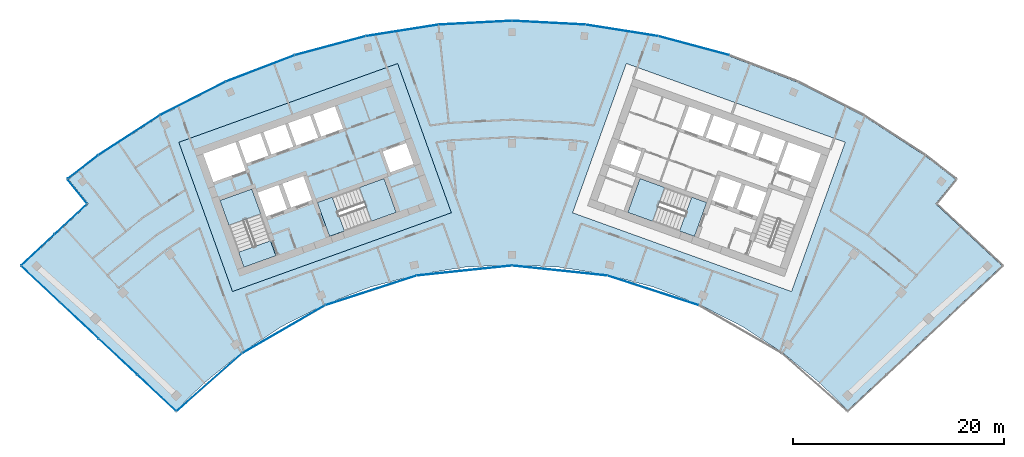
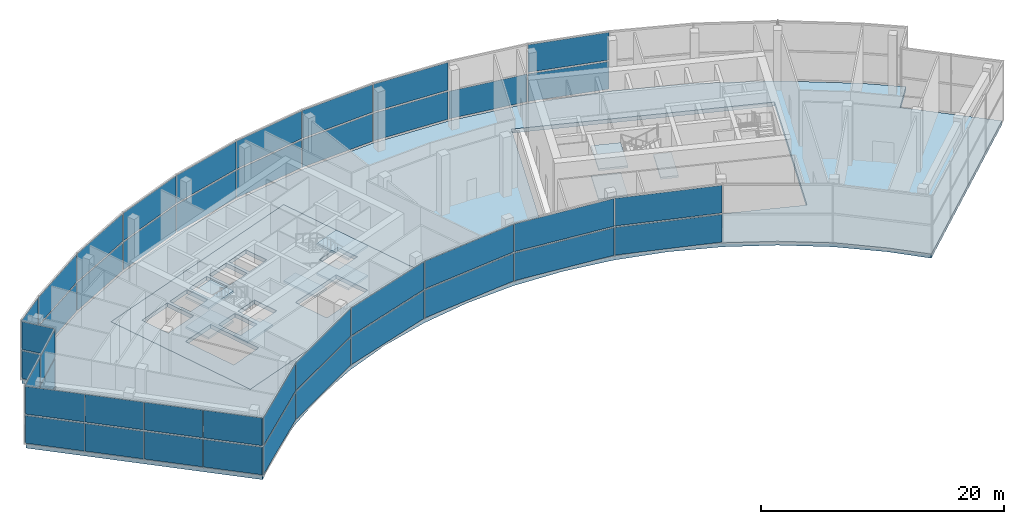
# One storey, part 9 of 18: 45 plates, 11 slabs, 8 elements without a shape of their own.
"""IFC4 building model written with IfcOpenShell, lengths in metres."""

from ifc_helpers import new_model, si_unit, direction, frame, origin, origin_2d, place, context, subcontext, project, spatial, polyline, rectangle, outline, extrude, material, layer, layer_set, type_object, element, aggregate, save


model = new_model("IFC4")

# Units and contexts
model_context = context("Model", 3, precision=1e-05, world=origin(), true_north=direction((0.0, 1.0)))
body_context = subcontext(model_context, "Body", "Model", "MODEL_VIEW")
ifc_project = project(units=[si_unit("LENGTHUNIT", "METRE"), si_unit("AREAUNIT", "SQUARE_METRE"), si_unit("VOLUMEUNIT", "CUBIC_METRE"), si_unit("PLANEANGLEUNIT", "RADIAN"), si_unit("MASSUNIT", "GRAM", prefix="KILO")], contexts=[model_context])

# Site, building, storey
site_placement = place(None, origin())
site = spatial("IfcSite", under=ifc_project, at=site_placement, CompositionType="ELEMENT")
building_placement = place(site_placement, origin())
building = spatial("IfcBuilding", under=site, at=building_placement, Name="Stone Belt Terrace Tower", CompositionType="ELEMENT")
storey_placement = place(building_placement, frame((0.0, 0.0, 307.39990234375)))
storey = spatial("IfcBuildingStorey", under=building, at=storey_placement, Name="L75", CompositionType="ELEMENT", Elevation=307.39990234375)

# Curtain wall, plates
ifc_material_1 = material(Name="Aluminium 6063-T6 anodised frame", Category="aluminium")
ifc_layer_1 = layer(ifc_material_1, 0.14990234375)
ifc_layer_set_1 = layer_set([ifc_layer_1], Name="CW-F observation floor curtain wall")
curtain_wall_type = type_object("IfcCurtainWallType", Name="CW-F observation floor curtain wall", PredefinedType="NOTDEFINED", material=ifc_layer_set_1)
curtain_wall_1_placement = place(storey_placement, origin())
curtain_wall_1 = element("IfcCurtainWall", 1, at=curtain_wall_1_placement, inside=storey, type_object=curtain_wall_type, Name="CW-F concave face L75", PredefinedType="NOTDEFINED")
ifc_material_2 = material(Name="Clear double glazed unit")
ifc_layer_2 = layer(ifc_material_2, 0.035888671875)
ifc_layer_set_2 = layer_set([ifc_layer_2], Name="CW-F glass panel 36")
plate_type = type_object("IfcPlateType", Name="CW-F glass panel 36", PredefinedType="CURTAIN_PANEL", material=ifc_layer_set_2)
plate_1_placement = place(storey_placement, frame((-28.625732421875, 32.393310546875, 0.150146484375), z_axis=(0.0, 0.0, 1.0), x_axis=(0.749658646805, 0.661824684694, 0.0)))
plate_1 = element("IfcPlate", 2, at=plate_1_placement, type_object=plate_type, Name="CW-F panel 1.1", PredefinedType="CURTAIN_PANEL", context=body_context, shape_type="SweptSolid", body=[
    extrude(rectangle(XDim=8.188720703125, YDim=0.035888671875, at=origin_2d()), origin(), (0.0, 0.0, 1.0), 2.77490234375),
])
plate_2_placement = place(storey_placement, frame((-28.625732421875, 32.393310546875, 3.0751953125), z_axis=(0.0, 0.0, 1.0), x_axis=(0.749658646805, 0.661824684694, 0.0)))
plate_2 = element("IfcPlate", 3, at=plate_2_placement, type_object=plate_type, Name="CW-F panel 1.2", PredefinedType="CURTAIN_PANEL", context=body_context, shape_type="SweptSolid", body=[
    extrude(rectangle(XDim=8.188720703125, YDim=0.035888671875, at=origin_2d()), origin(), (0.0, 0.0, 1.0), 2.77490234375),
])
plate_3_placement = place(storey_placement, frame((-21.59375, 37.400634765625, 0.150146484375), z_axis=(0.0, 0.0, 1.0), x_axis=(0.866025403784, 0.5, 0.0)))
plate_3 = element("IfcPlate", 4, at=plate_3_placement, type_object=plate_type, Name="CW-F panel 2.1", PredefinedType="CURTAIN_PANEL", context=body_context, shape_type="SweptSolid", body=[
    extrude(rectangle(XDim=8.99365234375, YDim=0.035888671875, at=origin_2d()), origin(), (0.0, 0.0, 1.0), 2.77490234375),
])
plate_4_placement = place(storey_placement, frame((-21.59375, 37.400634765625, 3.0751953125), z_axis=(0.0, 0.0, 1.0), x_axis=(0.866025403784, 0.5, 0.0)))
plate_4 = element("IfcPlate", 5, at=plate_4_placement, type_object=plate_type, Name="CW-F panel 2.2", PredefinedType="CURTAIN_PANEL", context=body_context, shape_type="SweptSolid", body=[
    extrude(rectangle(XDim=8.99365234375, YDim=0.035888671875, at=origin_2d()), origin(), (0.0, 0.0, 1.0), 2.77490234375),
])
plate_5_placement = place(storey_placement, frame((-13.345458984375, 41.072998046875, 0.150146484375), z_axis=(0.0, 0.0, 1.0), x_axis=(0.951056516295, 0.309016994375, 0.0)))
plate_5 = element("IfcPlate", 6, at=plate_5_placement, type_object=plate_type, Name="CW-F panel 3.1", PredefinedType="CURTAIN_PANEL", context=body_context, shape_type="SweptSolid", body=[
    extrude(rectangle(XDim=8.992919921875, YDim=0.035888671875, at=origin_2d()), origin(), (0.0, 0.0, 1.0), 2.77490234375),
])
plate_6_placement = place(storey_placement, frame((-13.345458984375, 41.072998046875, 3.0751953125), z_axis=(0.0, 0.0, 1.0), x_axis=(0.951056516295, 0.309016994375, 0.0)))
plate_6 = element("IfcPlate", 7, at=plate_6_placement, type_object=plate_type, Name="CW-F panel 3.2", PredefinedType="CURTAIN_PANEL", context=body_context, shape_type="SweptSolid", body=[
    extrude(rectangle(XDim=8.992919921875, YDim=0.035888671875, at=origin_2d()), origin(), (0.0, 0.0, 1.0), 2.77490234375),
])
plate_7_placement = place(storey_placement, frame((-4.51416015625, 42.9501953125, 0.150146484375), z_axis=(0.0, 0.0, 1.0), x_axis=(0.994521895368, 0.104528463268, 0.0)))
plate_7 = element("IfcPlate", 8, at=plate_7_placement, type_object=plate_type, Name="CW-F panel 4.1", PredefinedType="CURTAIN_PANEL", context=body_context, shape_type="SweptSolid", body=[
    extrude(rectangle(XDim=8.992919921875, YDim=0.035888671875, at=origin_2d()), origin(), (0.0, 0.0, 1.0), 2.77490234375),
])
plate_8_placement = place(storey_placement, frame((-4.51416015625, 42.9501953125, 3.0751953125), z_axis=(0.0, 0.0, 1.0), x_axis=(0.994521895368, 0.104528463268, 0.0)))
plate_8 = element("IfcPlate", 9, at=plate_8_placement, type_object=plate_type, Name="CW-F panel 4.2", PredefinedType="CURTAIN_PANEL", context=body_context, shape_type="SweptSolid", body=[
    extrude(rectangle(XDim=8.992919921875, YDim=0.035888671875, at=origin_2d()), origin(), (0.0, 0.0, 1.0), 2.77490234375),
])
plate_9_placement = place(storey_placement, frame((4.51416015625, 42.9501953125, 0.150146484375), z_axis=(0.0, 0.0, 1.0), x_axis=(0.994521895368, -0.104528463268, 0.0)))
plate_9 = element("IfcPlate", 10, at=plate_9_placement, type_object=plate_type, Name="CW-F panel 5.1", PredefinedType="CURTAIN_PANEL", context=body_context, shape_type="SweptSolid", body=[
    extrude(rectangle(XDim=8.992919921875, YDim=0.035888671875, at=origin_2d()), origin(), (0.0, 0.0, 1.0), 2.77490234375),
])
plate_10_placement = place(storey_placement, frame((4.51416015625, 42.9501953125, 3.0751953125), z_axis=(0.0, 0.0, 1.0), x_axis=(0.994521895368, -0.104528463268, 0.0)))
plate_10 = element("IfcPlate", 11, at=plate_10_placement, type_object=plate_type, Name="CW-F panel 5.2", PredefinedType="CURTAIN_PANEL", context=body_context, shape_type="SweptSolid", body=[
    extrude(rectangle(XDim=8.992919921875, YDim=0.035888671875, at=origin_2d()), origin(), (0.0, 0.0, 1.0), 2.77490234375),
])
plate_11_placement = place(storey_placement, frame((13.345458984375, 41.072998046875, 0.150146484375), z_axis=(0.0, 0.0, 1.0), x_axis=(0.951056516295, -0.309016994375, 0.0)))
plate_11 = element("IfcPlate", 12, at=plate_11_placement, type_object=plate_type, Name="CW-F panel 6.1", PredefinedType="CURTAIN_PANEL", context=body_context, shape_type="SweptSolid", body=[
    extrude(rectangle(XDim=8.992919921875, YDim=0.035888671875, at=origin_2d()), origin(), (0.0, 0.0, 1.0), 2.77490234375),
])
plate_12_placement = place(storey_placement, frame((13.345458984375, 41.072998046875, 3.0751953125), z_axis=(0.0, 0.0, 1.0), x_axis=(0.951056516295, -0.309016994375, 0.0)))
plate_12 = element("IfcPlate", 13, at=plate_12_placement, type_object=plate_type, Name="CW-F panel 6.2", PredefinedType="CURTAIN_PANEL", context=body_context, shape_type="SweptSolid", body=[
    extrude(rectangle(XDim=8.992919921875, YDim=0.035888671875, at=origin_2d()), origin(), (0.0, 0.0, 1.0), 2.77490234375),
])
aggregate(curtain_wall_1, [plate_1, plate_2, plate_3, plate_4, plate_5, plate_6, plate_7, plate_8, plate_9, plate_10, plate_11, plate_12])

curtain_wall_2_placement = place(storey_placement, origin())
curtain_wall_2 = element("IfcCurtainWall", 14, at=curtain_wall_2_placement, inside=storey, type_object=curtain_wall_type, Name="CW-F convex face L75", PredefinedType="NOTDEFINED")
plate_13_placement = place(storey_placement, frame((17.207275390625, 64.218505859375, 0.150146484375), z_axis=(0.0, 0.0, 1.0), x_axis=(-0.965925826289, 0.258819045103, 0.0)))
plate_13 = element("IfcPlate", 15, at=plate_13_placement, type_object=plate_type, Name="CW-F panel 5.1", PredefinedType="CURTAIN_PANEL", context=body_context, shape_type="SweptSolid", body=[
    extrude(rectangle(XDim=6.890869140625, YDim=0.035888671875, at=origin_2d()), origin(), (0.0, 0.0, 1.0), 2.77490234375),
])
plate_14_placement = place(storey_placement, frame((17.207275390625, 64.218505859375, 3.0751953125), z_axis=(0.0, 0.0, 1.0), x_axis=(-0.965925826289, 0.258819045103, 0.0)))
plate_14 = element("IfcPlate", 16, at=plate_14_placement, type_object=plate_type, Name="CW-F panel 5.2", PredefinedType="CURTAIN_PANEL", context=body_context, shape_type="SweptSolid", body=[
    extrude(rectangle(XDim=6.890869140625, YDim=0.035888671875, at=origin_2d()), origin(), (0.0, 0.0, 1.0), 2.77490234375),
])
plate_15_placement = place(storey_placement, frame((10.400390625, 65.665283203125, 0.150146484375), z_axis=(0.0, 0.0, 1.0), x_axis=(-0.987688340595, 0.15643446504, 0.0)))
plate_15 = element("IfcPlate", 17, at=plate_15_placement, type_object=plate_type, Name="CW-F panel 6.1", PredefinedType="CURTAIN_PANEL", context=body_context, shape_type="SweptSolid", body=[
    extrude(rectangle(XDim=6.890869140625, YDim=0.035888671875, at=origin_2d()), origin(), (0.0, 0.0, 1.0), 2.77490234375),
])
plate_16_placement = place(storey_placement, frame((3.4794921875, 66.392822265625, 0.150146484375), z_axis=(0.0, 0.0, 1.0), x_axis=(-0.998629534755, 0.052335956243, 0.0)))
plate_16 = element("IfcPlate", 18, at=plate_16_placement, type_object=plate_type, Name="CW-F panel 7.1", PredefinedType="CURTAIN_PANEL", context=body_context, shape_type="SweptSolid", body=[
    extrude(rectangle(XDim=6.890869140625, YDim=0.035888671875, at=origin_2d()), origin(), (0.0, 0.0, 1.0), 2.77490234375),
])
plate_17_placement = place(storey_placement, frame((3.4794921875, 66.392822265625, 3.0751953125), z_axis=(0.0, 0.0, 1.0), x_axis=(-0.998629534755, 0.052335956243, 0.0)))
plate_17 = element("IfcPlate", 19, at=plate_17_placement, type_object=plate_type, Name="CW-F panel 7.2", PredefinedType="CURTAIN_PANEL", context=body_context, shape_type="SweptSolid", body=[
    extrude(rectangle(XDim=6.890869140625, YDim=0.035888671875, at=origin_2d()), origin(), (0.0, 0.0, 1.0), 2.77490234375),
])
plate_18_placement = place(storey_placement, frame((-3.4794921875, 66.392822265625, 0.150146484375), z_axis=(0.0, 0.0, 1.0), x_axis=(-0.998629534755, -0.052335956243, 0.0)))
plate_18 = element("IfcPlate", 20, at=plate_18_placement, type_object=plate_type, Name="CW-F panel 8.1", PredefinedType="CURTAIN_PANEL", context=body_context, shape_type="SweptSolid", body=[
    extrude(rectangle(XDim=6.890869140625, YDim=0.035888671875, at=origin_2d()), origin(), (0.0, 0.0, 1.0), 2.77490234375),
])
plate_19_placement = place(storey_placement, frame((-3.4794921875, 66.392822265625, 3.0751953125), z_axis=(0.0, 0.0, 1.0), x_axis=(-0.998629534755, -0.052335956243, 0.0)))
plate_19 = element("IfcPlate", 21, at=plate_19_placement, type_object=plate_type, Name="CW-F panel 8.2", PredefinedType="CURTAIN_PANEL", context=body_context, shape_type="SweptSolid", body=[
    extrude(rectangle(XDim=6.890869140625, YDim=0.035888671875, at=origin_2d()), origin(), (0.0, 0.0, 1.0), 2.77490234375),
])
plate_20_placement = place(storey_placement, frame((-10.400390625, 65.665283203125, 0.150146484375), z_axis=(0.0, 0.0, 1.0), x_axis=(-0.987688340595, -0.15643446504, 0.0)))
plate_20 = element("IfcPlate", 22, at=plate_20_placement, type_object=plate_type, Name="CW-F panel 9.1", PredefinedType="CURTAIN_PANEL", context=body_context, shape_type="SweptSolid", body=[
    extrude(rectangle(XDim=6.890869140625, YDim=0.035888671875, at=origin_2d()), origin(), (0.0, 0.0, 1.0), 2.77490234375),
])
plate_21_placement = place(storey_placement, frame((-10.400390625, 65.665283203125, 3.0751953125), z_axis=(0.0, 0.0, 1.0), x_axis=(-0.987688340595, -0.15643446504, 0.0)))
plate_21 = element("IfcPlate", 23, at=plate_21_placement, type_object=plate_type, Name="CW-F panel 9.2", PredefinedType="CURTAIN_PANEL", context=body_context, shape_type="SweptSolid", body=[
    extrude(rectangle(XDim=6.890869140625, YDim=0.035888671875, at=origin_2d()), origin(), (0.0, 0.0, 1.0), 2.77490234375),
])
plate_22_placement = place(storey_placement, frame((-17.207275390625, 64.218505859375, 0.150146484375), z_axis=(0.0, 0.0, 1.0), x_axis=(-0.965925826289, -0.258819045103, 0.0)))
plate_22 = element("IfcPlate", 24, at=plate_22_placement, type_object=plate_type, Name="CW-F panel 10.1", PredefinedType="CURTAIN_PANEL", context=body_context, shape_type="SweptSolid", body=[
    extrude(rectangle(XDim=6.890869140625, YDim=0.035888671875, at=origin_2d()), origin(), (0.0, 0.0, 1.0), 2.77490234375),
])
plate_23_placement = place(storey_placement, frame((-17.207275390625, 64.218505859375, 3.0751953125), z_axis=(0.0, 0.0, 1.0), x_axis=(-0.965925826289, -0.258819045103, 0.0)))
plate_23 = element("IfcPlate", 25, at=plate_23_placement, type_object=plate_type, Name="CW-F panel 10.2", PredefinedType="CURTAIN_PANEL", context=body_context, shape_type="SweptSolid", body=[
    extrude(rectangle(XDim=6.890869140625, YDim=0.035888671875, at=origin_2d()), origin(), (0.0, 0.0, 1.0), 2.77490234375),
])
plate_24_placement = place(storey_placement, frame((-23.82568359375, 62.068115234375, 0.150146484375), z_axis=(0.0, 0.0, 1.0), x_axis=(-0.933580426497, -0.358367949545, 0.0)))
plate_24 = element("IfcPlate", 26, at=plate_24_placement, type_object=plate_type, Name="CW-F panel 11.1", PredefinedType="CURTAIN_PANEL", context=body_context, shape_type="SweptSolid", body=[
    extrude(rectangle(XDim=6.890869140625, YDim=0.035888671875, at=origin_2d()), origin(), (0.0, 0.0, 1.0), 2.77490234375),
])
plate_25_placement = place(storey_placement, frame((-23.82568359375, 62.068115234375, 3.0751953125), z_axis=(0.0, 0.0, 1.0), x_axis=(-0.933580426497, -0.358367949545, 0.0)))
plate_25 = element("IfcPlate", 27, at=plate_25_placement, type_object=plate_type, Name="CW-F panel 11.2", PredefinedType="CURTAIN_PANEL", context=body_context, shape_type="SweptSolid", body=[
    extrude(rectangle(XDim=6.890869140625, YDim=0.035888671875, at=origin_2d()), origin(), (0.0, 0.0, 1.0), 2.77490234375),
])
plate_26_placement = place(storey_placement, frame((-30.18310546875, 59.237548828125, 0.150146484375), z_axis=(0.0, 0.0, 1.0), x_axis=(-0.891006524188, -0.45399049974, 0.0)))
plate_26 = element("IfcPlate", 28, at=plate_26_placement, type_object=plate_type, Name="CW-F panel 12.1", PredefinedType="CURTAIN_PANEL", context=body_context, shape_type="SweptSolid", body=[
    extrude(rectangle(XDim=6.890869140625, YDim=0.035888671875, at=origin_2d()), origin(), (0.0, 0.0, 1.0), 2.77490234375),
])
plate_27_placement = place(storey_placement, frame((-30.18310546875, 59.237548828125, 3.0751953125), z_axis=(0.0, 0.0, 1.0), x_axis=(-0.891006524188, -0.45399049974, 0.0)))
plate_27 = element("IfcPlate", 29, at=plate_27_placement, type_object=plate_type, Name="CW-F panel 12.2", PredefinedType="CURTAIN_PANEL", context=body_context, shape_type="SweptSolid", body=[
    extrude(rectangle(XDim=6.890869140625, YDim=0.035888671875, at=origin_2d()), origin(), (0.0, 0.0, 1.0), 2.77490234375),
])
plate_28_placement = place(storey_placement, frame((-36.209716796875, 55.758056640625, 0.150146484375), z_axis=(0.0, 0.0, 1.0), x_axis=(-0.838670567945, -0.544639035015, 0.0)))
plate_28 = element("IfcPlate", 30, at=plate_28_placement, type_object=plate_type, Name="CW-F panel 13.1", PredefinedType="CURTAIN_PANEL", context=body_context, shape_type="SweptSolid", body=[
    extrude(rectangle(XDim=6.890869140625, YDim=0.035888671875, at=origin_2d()), origin(), (0.0, 0.0, 1.0), 2.77490234375),
])
plate_29_placement = place(storey_placement, frame((-36.209716796875, 55.758056640625, 3.0751953125), z_axis=(0.0, 0.0, 1.0), x_axis=(-0.838670567945, -0.544639035015, 0.0)))
plate_29 = element("IfcPlate", 31, at=plate_29_placement, type_object=plate_type, Name="CW-F panel 13.2", PredefinedType="CURTAIN_PANEL", context=body_context, shape_type="SweptSolid", body=[
    extrude(rectangle(XDim=6.890869140625, YDim=0.035888671875, at=origin_2d()), origin(), (0.0, 0.0, 1.0), 2.77490234375),
])
plate_30_placement = place(storey_placement, frame((-40.583740234375, 52.74365234375, 0.150146484375), z_axis=(0.0, 0.0, 1.0), x_axis=(-0.792693871824, -0.60961990254, 0.0)))
plate_30 = element("IfcPlate", 32, at=plate_30_placement, type_object=plate_type, Name="CW-F panel 14.1", PredefinedType="CURTAIN_PANEL", context=body_context, shape_type="SweptSolid", body=[
    extrude(rectangle(XDim=3.58935546875, YDim=0.035888671875, at=origin_2d()), origin(), (0.0, 0.0, 1.0), 2.77490234375),
])
plate_31_placement = place(storey_placement, frame((-40.583740234375, 52.74365234375, 3.0751953125), z_axis=(0.0, 0.0, 1.0), x_axis=(-0.792693871824, -0.60961990254, 0.0)))
plate_31 = element("IfcPlate", 33, at=plate_31_placement, type_object=plate_type, Name="CW-F panel 14.2", PredefinedType="CURTAIN_PANEL", context=body_context, shape_type="SweptSolid", body=[
    extrude(rectangle(XDim=3.58935546875, YDim=0.035888671875, at=origin_2d()), origin(), (0.0, 0.0, 1.0), 2.77490234375),
])
aggregate(curtain_wall_2, [plate_13, plate_14, plate_15, plate_16, plate_17, plate_18, plate_19, plate_20, plate_21, plate_22, plate_23, plate_24, plate_25, plate_26, plate_27, plate_28, plate_29, plate_30, plate_31])

curtain_wall_3_placement = place(storey_placement, origin())
curtain_wall_3 = element("IfcCurtainWall", 34, at=curtain_wall_3_placement, inside=storey, type_object=curtain_wall_type, Name="CW-F notch face L75", PredefinedType="NOTDEFINED")
plate_32_placement = place(storey_placement, frame((-41.119384765625, 50.43505859375, 0.150146484375), z_axis=(0.0, 0.0, 1.0), x_axis=(0.631001485542, -0.775781622136, 0.0)))
plate_32 = element("IfcPlate", 35, at=plate_32_placement, type_object=plate_type, Name="CW-F panel 1.1", PredefinedType="CURTAIN_PANEL", context=body_context, shape_type="SweptSolid", body=[
    extrude(rectangle(XDim=2.85205078125, YDim=0.035888671875, at=origin_2d()), origin(), (0.0, 0.0, 1.0), 2.77490234375),
])
plate_33_placement = place(storey_placement, frame((-41.119384765625, 50.43505859375, 3.0751953125), z_axis=(0.0, 0.0, 1.0), x_axis=(0.631001485542, -0.775781622136, 0.0)))
plate_33 = element("IfcPlate", 36, at=plate_33_placement, type_object=plate_type, Name="CW-F panel 1.2", PredefinedType="CURTAIN_PANEL", context=body_context, shape_type="SweptSolid", body=[
    extrude(rectangle(XDim=2.85205078125, YDim=0.035888671875, at=origin_2d()), origin(), (0.0, 0.0, 1.0), 2.77490234375),
])
aggregate(curtain_wall_3, [plate_32, plate_33])

curtain_wall_4_placement = place(storey_placement, origin())
curtain_wall_4 = element("IfcCurtainWall", 37, at=curtain_wall_4_placement, inside=storey, type_object=curtain_wall_type, Name="CW-F notch face L75", PredefinedType="NOTDEFINED")
plate_34_placement = place(storey_placement, frame((-41.730712890625, 47.814697265625, 0.150146484375), z_axis=(0.0, 0.0, 1.0), x_axis=(-0.731339333871, -0.682013767261, 0.0)))
plate_34 = element("IfcPlate", 38, at=plate_34_placement, type_object=plate_type, Name="CW-F panel 1.1", PredefinedType="CURTAIN_PANEL", context=body_context, shape_type="SweptSolid", body=[
    extrude(rectangle(XDim=4.11181640625, YDim=0.035888671875, at=origin_2d()), origin(), (0.0, 0.0, 1.0), 2.77490234375),
])
plate_35_placement = place(storey_placement, frame((-41.730712890625, 47.814697265625, 3.0751953125), z_axis=(0.0, 0.0, 1.0), x_axis=(-0.731339333871, -0.682013767261, 0.0)))
plate_35 = element("IfcPlate", 39, at=plate_35_placement, type_object=plate_type, Name="CW-F panel 1.2", PredefinedType="CURTAIN_PANEL", context=body_context, shape_type="SweptSolid", body=[
    extrude(rectangle(XDim=4.11181640625, YDim=0.035888671875, at=origin_2d()), origin(), (0.0, 0.0, 1.0), 2.77490234375),
])
plate_36_placement = place(storey_placement, frame((-44.84326171875, 44.911865234375, 0.150146484375), z_axis=(0.0, 0.0, 1.0), x_axis=(-0.731339333871, -0.682013767261, 0.0)))
plate_36 = element("IfcPlate", 40, at=plate_36_placement, type_object=plate_type, Name="CW-F panel 2.1", PredefinedType="CURTAIN_PANEL", context=body_context, shape_type="SweptSolid", body=[
    extrude(rectangle(XDim=4.26025390625, YDim=0.035888671875, at=origin_2d()), origin(), (0.0, 0.0, 1.0), 2.77490234375),
])
plate_37_placement = place(storey_placement, frame((-44.84326171875, 44.911865234375, 3.0751953125), z_axis=(0.0, 0.0, 1.0), x_axis=(-0.731339333871, -0.682013767261, 0.0)))
plate_37 = element("IfcPlate", 41, at=plate_37_placement, type_object=plate_type, Name="CW-F panel 2.2", PredefinedType="CURTAIN_PANEL", context=body_context, shape_type="SweptSolid", body=[
    extrude(rectangle(XDim=4.26025390625, YDim=0.035888671875, at=origin_2d()), origin(), (0.0, 0.0, 1.0), 2.77490234375),
])
aggregate(curtain_wall_4, [plate_34, plate_35, plate_36, plate_37])

curtain_wall_5_placement = place(storey_placement, origin())
curtain_wall_5 = element("IfcCurtainWall", 42, at=curtain_wall_5_placement, inside=storey, type_object=curtain_wall_type, Name="CW-F end face L75", PredefinedType="NOTDEFINED")
plate_38_placement = place(storey_placement, frame((-44.5888671875, 41.654296875, 0.150146484375), z_axis=(0.0, 0.0, 1.0), x_axis=(0.729904219708, -0.683549434973, 0.0)))
plate_38 = element("IfcPlate", 43, at=plate_38_placement, type_object=plate_type, Name="CW-F panel 1.1", PredefinedType="CURTAIN_PANEL", context=body_context, shape_type="SweptSolid", body=[
    extrude(rectangle(XDim=4.966552734375, YDim=0.035888671875, at=origin_2d()), origin(), (0.0, 0.0, 1.0), 2.77490234375),
])
plate_39_placement = place(storey_placement, frame((-44.5888671875, 41.654296875, 3.0751953125), z_axis=(0.0, 0.0, 1.0), x_axis=(0.729904219708, -0.683549434973, 0.0)))
plate_39 = element("IfcPlate", 44, at=plate_39_placement, type_object=plate_type, Name="CW-F panel 1.2", PredefinedType="CURTAIN_PANEL", context=body_context, shape_type="SweptSolid", body=[
    extrude(rectangle(XDim=4.966552734375, YDim=0.035888671875, at=origin_2d()), origin(), (0.0, 0.0, 1.0), 2.77490234375),
])
plate_40_placement = place(storey_placement, frame((-40.92578125, 38.22412109375, 0.150146484375), z_axis=(0.0, 0.0, 1.0), x_axis=(0.729904219708, -0.683549434973, 0.0)))
plate_40 = element("IfcPlate", 45, at=plate_40_placement, type_object=plate_type, Name="CW-F panel 2.1", PredefinedType="CURTAIN_PANEL", context=body_context, shape_type="SweptSolid", body=[
    extrude(rectangle(XDim=4.929931640625, YDim=0.035888671875, at=origin_2d()), origin(), (0.0, 0.0, 1.0), 2.77490234375),
])
plate_41_placement = place(storey_placement, frame((-40.92578125, 38.22412109375, 3.0751953125), z_axis=(0.0, 0.0, 1.0), x_axis=(0.729904219708, -0.683549434973, 0.0)))
plate_41 = element("IfcPlate", 46, at=plate_41_placement, type_object=plate_type, Name="CW-F panel 2.2", PredefinedType="CURTAIN_PANEL", context=body_context, shape_type="SweptSolid", body=[
    extrude(rectangle(XDim=4.929931640625, YDim=0.035888671875, at=origin_2d()), origin(), (0.0, 0.0, 1.0), 2.77490234375),
])
plate_42_placement = place(storey_placement, frame((-37.2763671875, 34.806396484375, 0.150146484375), z_axis=(0.0, 0.0, 1.0), x_axis=(0.729904219708, -0.683549434973, 0.0)))
plate_42 = element("IfcPlate", 47, at=plate_42_placement, type_object=plate_type, Name="CW-F panel 3.1", PredefinedType="CURTAIN_PANEL", context=body_context, shape_type="SweptSolid", body=[
    extrude(rectangle(XDim=4.929931640625, YDim=0.035888671875, at=origin_2d()), origin(), (0.0, 0.0, 1.0), 2.77490234375),
])
plate_43_placement = place(storey_placement, frame((-37.2763671875, 34.806396484375, 3.0751953125), z_axis=(0.0, 0.0, 1.0), x_axis=(0.729904219708, -0.683549434973, 0.0)))
plate_43 = element("IfcPlate", 48, at=plate_43_placement, type_object=plate_type, Name="CW-F panel 3.2", PredefinedType="CURTAIN_PANEL", context=body_context, shape_type="SweptSolid", body=[
    extrude(rectangle(XDim=4.929931640625, YDim=0.035888671875, at=origin_2d()), origin(), (0.0, 0.0, 1.0), 2.77490234375),
])
plate_44_placement = place(storey_placement, frame((-33.616943359375, 31.37939453125, 0.150146484375), z_axis=(0.0, 0.0, 1.0), x_axis=(0.729904219708, -0.683549434973, 0.0)))
plate_44 = element("IfcPlate", 49, at=plate_44_placement, type_object=plate_type, Name="CW-F panel 4.1", PredefinedType="CURTAIN_PANEL", context=body_context, shape_type="SweptSolid", body=[
    extrude(rectangle(XDim=4.956787109375, YDim=0.035888671875, at=origin_2d()), origin(), (0.0, 0.0, 1.0), 2.77490234375),
])
plate_45_placement = place(storey_placement, frame((-33.616943359375, 31.37939453125, 3.0751953125), z_axis=(0.0, 0.0, 1.0), x_axis=(0.729904219708, -0.683549434973, 0.0)))
plate_45 = element("IfcPlate", 50, at=plate_45_placement, type_object=plate_type, Name="CW-F panel 4.2", PredefinedType="CURTAIN_PANEL", context=body_context, shape_type="SweptSolid", body=[
    extrude(rectangle(XDim=4.956787109375, YDim=0.035888671875, at=origin_2d()), origin(), (0.0, 0.0, 1.0), 2.77490234375),
])
aggregate(curtain_wall_5, [plate_38, plate_39, plate_40, plate_41, plate_42, plate_43, plate_44, plate_45])

# Slabs
ifc_material_3 = material(Name="Concrete B40", Category="concrete")
ifc_layer_3 = layer(ifc_material_3, 0.39990234375)
ifc_layer_set_3 = layer_set([ifc_layer_3], Name="Core floor slab 400")
slab_type_1 = type_object("IfcSlabType", Name="Core floor slab 400", PredefinedType="FLOOR", material=ifc_layer_set_3)
slab_1_placement = place(storey_placement, frame((0.0, 0.0, -0.39990234375)))
element("IfcSlab", 51, at=slab_1_placement, inside=storey, type_object=slab_type_1, Name="Core A floor L75", PredefinedType="FLOOR", context=body_context, shape_type="SweptSolid", body=[
    extrude(outline(polyline([(-26.43505859375, 40.968994140625), (-5.735107421875, 48.4189453125), (-10.81396484375, 62.531982421875), (-31.513916015625, 55.0830078125), (-26.43505859375, 40.968994140625)]), holes=[polyline([(-24.60791015625, 50.659912109375), (-22.847900390625, 45.76806640625), (-25.85888671875, 44.68408203125), (-27.618896484375, 49.575927734375), (-24.60791015625, 50.659912109375)]), polyline([(-10.955078125, 48.452880859375), (-15.846923828125, 46.69189453125), (-16.998046875, 49.89208984375), (-12.10595703125, 51.652099609375), (-10.955078125, 48.452880859375)]), polyline([(-22.0869140625, 51.035888671875), (-21.27392578125, 48.778076171875), (-23.25, 48.06689453125), (-24.06298828125, 50.324951171875), (-22.0869140625, 51.035888671875)]), polyline([(-18.922119140625, 49.6240234375), (-20.89794921875, 48.9130859375), (-21.7109375, 51.1708984375), (-19.735107421875, 51.883056640625), (-18.922119140625, 49.6240234375)]), polyline([(-29.2109375, 53.9990234375), (-26.153076171875, 55.09912109375), (-25.18798828125, 52.41796875), (-28.24609375, 51.31689453125), (-29.2109375, 53.9990234375)]), polyline([(-10.01904296875, 55.007080078125), (-9.30810546875, 53.031005859375), (-11.51904296875, 52.235107421875), (-12.22998046875, 54.2109375), (-10.01904296875, 55.007080078125)]), polyline([(-25.87109375, 55.200927734375), (-23.801025390625, 55.946044921875), (-23.0390625, 53.8291015625), (-25.10888671875, 53.083984375), (-25.87109375, 55.200927734375)]), polyline([(-23.51806640625, 56.047119140625), (-21.447998046875, 56.7919921875), (-20.68603515625, 54.675048828125), (-22.756103515625, 53.929931640625), (-23.51806640625, 56.047119140625)]), polyline([(-19.095947265625, 57.638916015625), (-18.333984375, 55.52197265625), (-20.404052734375, 54.777099609375), (-21.166015625, 56.89404296875), (-19.095947265625, 57.638916015625)]), polyline([(-16.743896484375, 58.485107421875), (-15.98193359375, 56.367919921875), (-18.052001953125, 55.623046875), (-18.81396484375, 57.739990234375), (-16.743896484375, 58.485107421875)])]), origin(), (0.0, 0.0, 1.0), 0.39990234375),
])
ifc_layer_4 = layer(ifc_material_3, 0.39990234375)
ifc_layer_set_4 = layer_set([ifc_layer_4], Name="Floor slab 400 B40")
slab_type_2 = type_object("IfcSlabType", Name="Floor slab 400 B40", PredefinedType="FLOOR", material=ifc_layer_set_4)
slab_2_placement = place(storey_placement, frame((0.0, 0.0, -0.39990234375)))
element("IfcSlab", 52, at=slab_2_placement, inside=storey, type_object=slab_type_2, Name="Floor slab L75", PredefinedType="FLOOR", context=body_context, shape_type="SweptSolid", body=[
    extrude(outline(polyline([(-40.068603515625, 49.26220703125), (-41.961669921875, 51.589599609375), (-39.087646484375, 53.799560546875), (-33.25, 57.5908203125), (-27.048095703125, 60.750732421875), (-20.549560546875, 63.245361328125), (-13.826171875, 65.046875), (-6.951171875, 66.1357421875), (0.0, 66.5), (6.951171875, 66.1357421875), (13.826171875, 65.046875), (20.549560546875, 63.245361328125), (27.048095703125, 60.750732421875), (33.25, 57.5908203125), (39.087646484375, 53.799560546875), (41.961669921875, 51.589599609375), (40.068603515625, 49.26220703125), (46.348876953125, 43.405517578125), (31.750732421875, 29.734375), (29.107177734375, 32.326904296875), (25.568603515625, 35.192138671875), (21.75, 37.672119140625), (17.693115234375, 39.7392578125), (13.442138671875, 41.37109375), (9.044189453125, 42.54931640625), (4.547119140625, 43.26171875), (0.0, 43.5), (-4.547119140625, 43.26171875), (-9.044189453125, 42.54931640625), (-13.442138671875, 41.37109375), (-17.693115234375, 39.7392578125), (-21.75, 37.672119140625), (-25.568603515625, 35.192138671875), (-29.107177734375, 32.326904296875), (-31.750732421875, 29.734375), (-46.348876953125, 43.405517578125), (-40.068603515625, 49.26220703125)]), holes=[polyline([(-10.81396484375, 62.532470703125), (-31.51416015625, 55.082763671875), (-26.434814453125, 40.968994140625), (-5.734619140625, 48.418701171875), (-10.81396484375, 62.532470703125)]), polyline([(26.434814453125, 40.968994140625), (31.51416015625, 55.082763671875), (10.81396484375, 62.532470703125), (5.734619140625, 48.418701171875), (26.434814453125, 40.968994140625)])]), origin(), (0.0, 0.0, 1.0), 0.39990234375),
])

# Stair, slabs
stair_type = type_object("IfcStairType", Name="Exit stair 1500", PredefinedType="HALF_TURN_STAIR", material=ifc_material_3)
stair_1_placement = place(storey_placement, origin())
stair_1 = element("IfcStair", 53, at=stair_1_placement, inside=storey, type_object=stair_type, Name="L75 Exit stair 1 core A", PredefinedType="HALF_TURN_STAIR")
ifc_layer_5 = layer(ifc_material_3, 0.199951171875)
ifc_layer_set_5 = layer_set([ifc_layer_5], Name="Stair landing 200")
slab_type_3 = type_object("IfcSlabType", Name="Stair landing 200", PredefinedType="LANDING", material=ifc_layer_set_5)
slab_3_placement = place(storey_placement, frame((0.0, 0.0, 1.300048828125)))
slab_3 = element("IfcSlab", 54, at=slab_3_placement, type_object=slab_type_3, Name="ST1A landing 1", PredefinedType="LANDING", context=body_context, shape_type="SweptSolid", body=[
    extrude(outline(polyline([(-23.7685546875, 48.32568359375), (-24.6083984375, 50.659912109375), (-27.619384765625, 49.576171875), (-26.779296875, 47.241943359375), (-23.7685546875, 48.32568359375)])), origin(), (0.0, 0.0, 1.0), 0.199951171875),
])
slab_4_placement = place(storey_placement, frame((0.0, 0.0, 2.800048828125)))
slab_4 = element("IfcSlab", 55, at=slab_4_placement, type_object=slab_type_3, Name="ST1A landing 2", PredefinedType="LANDING", context=body_context, shape_type="SweptSolid", body=[
    extrude(outline(polyline([(-22.339599609375, 44.355712890625), (-22.847900390625, 45.767822265625), (-25.85888671875, 44.684326171875), (-25.3505859375, 43.27197265625), (-22.339599609375, 44.355712890625)])), origin(), (0.0, 0.0, 1.0), 0.199951171875),
])
slab_5_placement = place(storey_placement, frame((0.0, 0.0, 4.300048828125)))
slab_5 = element("IfcSlab", 56, at=slab_5_placement, type_object=slab_type_3, Name="ST1A landing 3", PredefinedType="LANDING", context=body_context, shape_type="SweptSolid", body=[
    extrude(outline(polyline([(-23.7685546875, 48.32568359375), (-24.6083984375, 50.659912109375), (-27.619384765625, 49.576171875), (-26.779296875, 47.241943359375), (-23.7685546875, 48.32568359375)])), origin(), (0.0, 0.0, 1.0), 0.199951171875),
])
aggregate(stair_1, [slab_3, slab_4, slab_5])

stair_2_placement = place(storey_placement, origin())
stair_2 = element("IfcStair", 57, at=stair_2_placement, inside=storey, type_object=stair_type, Name="L75 Exit stair 2 core A", PredefinedType="HALF_TURN_STAIR")
slab_6_placement = place(storey_placement, frame((0.0, 0.0, 1.300048828125)))
slab_6 = element("IfcSlab", 58, at=slab_6_placement, type_object=slab_type_3, Name="ST2A landing 1", PredefinedType="LANDING", context=body_context, shape_type="SweptSolid", body=[
    extrude(outline(polyline([(-13.288818359375, 47.613037109375), (-10.95458984375, 48.453125), (-12.10595703125, 51.652099609375), (-14.440185546875, 50.81201171875), (-13.288818359375, 47.613037109375)])), origin(), (0.0, 0.0, 1.0), 0.199951171875),
])
slab_7_placement = place(storey_placement, frame((0.0, 0.0, 2.800048828125)))
slab_7 = element("IfcSlab", 59, at=slab_7_placement, type_object=slab_type_3, Name="ST2A landing 2", PredefinedType="LANDING", context=body_context, shape_type="SweptSolid", body=[
    extrude(outline(polyline([(-17.2587890625, 46.184326171875), (-15.8466796875, 46.6923828125), (-16.997802734375, 49.8916015625), (-18.41015625, 49.38330078125), (-17.2587890625, 46.184326171875)])), origin(), (0.0, 0.0, 1.0), 0.199951171875),
])
slab_8_placement = place(storey_placement, frame((0.0, 0.0, 4.300048828125)))
slab_8 = element("IfcSlab", 60, at=slab_8_placement, type_object=slab_type_3, Name="ST2A landing 3", PredefinedType="LANDING", context=body_context, shape_type="SweptSolid", body=[
    extrude(outline(polyline([(-13.288818359375, 47.613037109375), (-10.95458984375, 48.453125), (-12.10595703125, 51.652099609375), (-14.440185546875, 50.81201171875), (-13.288818359375, 47.613037109375)])), origin(), (0.0, 0.0, 1.0), 0.199951171875),
])
aggregate(stair_2, [slab_6, slab_7, slab_8])

stair_3_placement = place(storey_placement, origin())
stair_3 = element("IfcStair", 61, at=stair_3_placement, inside=storey, type_object=stair_type, Name="L75 Exit stair 2 core B", PredefinedType="HALF_TURN_STAIR")
slab_9_placement = place(storey_placement, frame((0.0, 0.0, 1.300048828125)))
slab_9 = element("IfcSlab", 62, at=slab_9_placement, type_object=slab_type_3, Name="ST2B landing 1", PredefinedType="LANDING", context=body_context, shape_type="SweptSolid", body=[
    extrude(outline(polyline([(14.440185546875, 50.81201171875), (12.10595703125, 51.652099609375), (10.95458984375, 48.453125), (13.288818359375, 47.613037109375), (14.440185546875, 50.81201171875)])), origin(), (0.0, 0.0, 1.0), 0.199951171875),
])
slab_10_placement = place(storey_placement, frame((0.0, 0.0, 2.800048828125)))
slab_10 = element("IfcSlab", 63, at=slab_10_placement, type_object=slab_type_3, Name="ST2B landing 2", PredefinedType="LANDING", context=body_context, shape_type="SweptSolid", body=[
    extrude(outline(polyline([(18.41015625, 49.38330078125), (16.997802734375, 49.8916015625), (15.8466796875, 46.6923828125), (17.2587890625, 46.184326171875), (18.41015625, 49.38330078125)])), origin(), (0.0, 0.0, 1.0), 0.199951171875),
])
slab_11_placement = place(storey_placement, frame((0.0, 0.0, 4.300048828125)))
slab_11 = element("IfcSlab", 64, at=slab_11_placement, type_object=slab_type_3, Name="ST2B landing 3", PredefinedType="LANDING", context=body_context, shape_type="SweptSolid", body=[
    extrude(outline(polyline([(14.440185546875, 50.81201171875), (12.10595703125, 51.652099609375), (10.95458984375, 48.453125), (13.288818359375, 47.613037109375), (14.440185546875, 50.81201171875)])), origin(), (0.0, 0.0, 1.0), 0.199951171875),
])
aggregate(stair_3, [slab_9, slab_10, slab_11])

save(model, "model.ifc")
